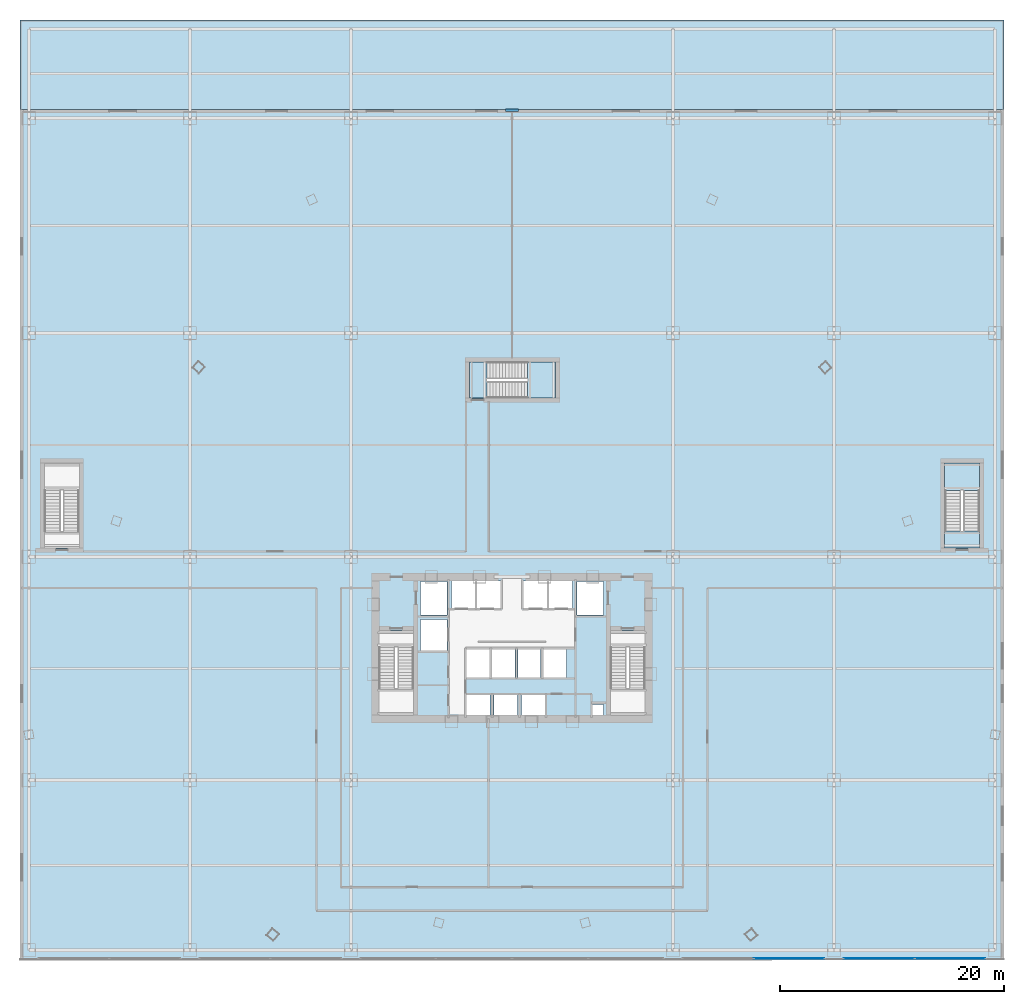
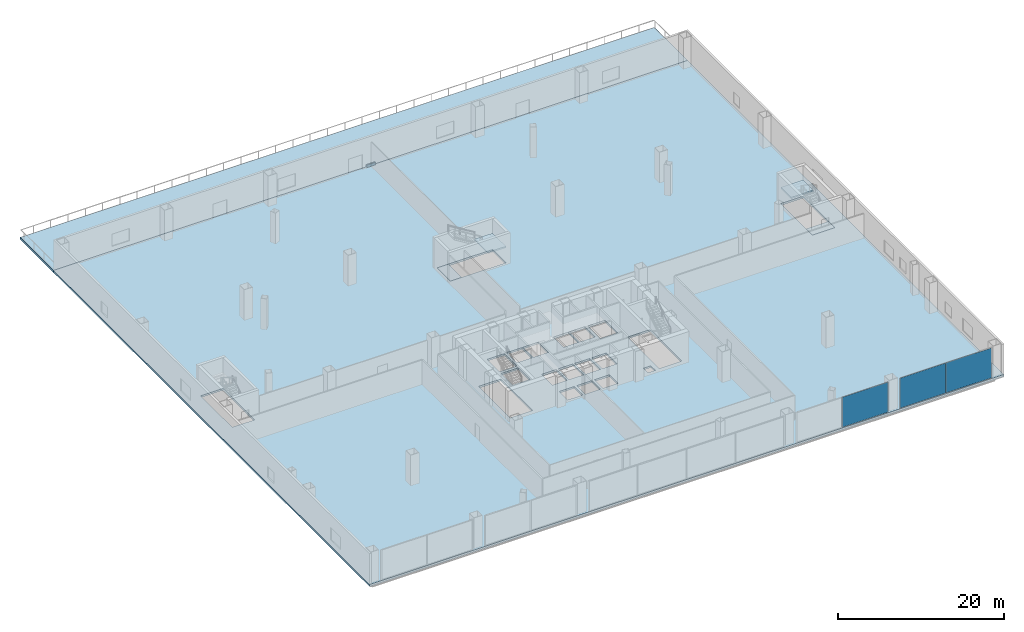
# One storey, part 18 of 27: 6 slabs, 4 plates, 4 elements without a shape of their own.
"""IFC4 building model written with IfcOpenShell, lengths in metres."""

import ifcopenshell
import ifcopenshell.guid

model = None  # the IFC model being written
_history = None  # IfcOwnerHistory: only IFC2X3 demands one
_inside = {}  # id of a spatial element -> (the spatial element, [elements in it])
_under = {}  # id of a project, library or spatial element -> (it, [spatial elements below it])
_declared = {}  # id of a project -> (the project, [libraries it declares])
_typed = {}  # id of a type object -> (the type object, [elements of that type])
_made_of = {}  # id of a material, layer set ... -> (it, [elements and type objects made of it])


def new_model(schema):
    """Start an empty IFC model of exactly this schema.

    Asked for "IFC4X3", IfcOpenShell would pick the latest addendum, in which some entities
    have other attributes; the version numbers below select the first issue.
    IFC2X3 requires an IfcOwnerHistory on every rooted entity: one is made here for all.
    """
    global model, _history
    if schema == "IFC4X3":
        model = ifcopenshell.file(schema_version=(4, 3, 0, 0))
    else:
        model = ifcopenshell.file(schema=schema)
    _inside.clear()
    _under.clear()
    _declared.clear()
    _typed.clear()
    _made_of.clear()
    _history = None
    if model.schema == "IFC2X3":
        org = make("IfcOrganization", Name="unknown")
        user = make(
            "IfcPersonAndOrganization",
            ThePerson=make("IfcPerson", FamilyName="unknown"),
            TheOrganization=org,
        )
        app = make(
            "IfcApplication",
            ApplicationDeveloper=org,
            Version="unknown",
            ApplicationFullName="unknown",
            ApplicationIdentifier="unknown",
        )
        _history = make(
            "IfcOwnerHistory",
            OwningUser=user,
            OwningApplication=app,
            ChangeAction="ADDED",
            CreationDate=0,
        )
    return model


def make(cls, **values):
    """One entity of the class cls with the attributes given. An attribute that is None is left unset."""
    return model.create_entity(
        cls, **{name: value for name, value in values.items() if value is not None}
    )


def rooted(cls, **values):
    """An entity with a GlobalId (a new one), such as an element, a storey or a relation."""
    return make(cls, GlobalId=ifcopenshell.guid.new(), OwnerHistory=_history, **values)


def si_unit(unit_type, name, prefix=None):
    """IfcSIUnit, for example si_unit("LENGTHUNIT", "METRE", prefix="MILLI")."""
    return make("IfcSIUnit", UnitType=unit_type, Prefix=prefix, Name=name)


def assignment(units):
    """IfcUnitAssignment: the units of a project."""
    return None if units is None else make("IfcUnitAssignment", Units=units)


def point(xyz):
    """IfcCartesianPoint."""
    return None if xyz is None else make("IfcCartesianPoint", Coordinates=xyz)


def direction(xyz):
    """IfcDirection."""
    return None if xyz is None else make("IfcDirection", DirectionRatios=xyz)


def frame(location, z_axis=None, x_axis=None):
    """IfcAxis2Placement3D, a coordinate frame: its origin and axes. An axis left out is left unset."""
    return make(
        "IfcAxis2Placement3D",
        Location=point(location),
        Axis=direction(z_axis),
        RefDirection=direction(x_axis),
    )


def frame_2d(location, x_axis=None):
    """IfcAxis2Placement2D, a coordinate frame in the plane: its origin and x axis."""
    return make(
        "IfcAxis2Placement2D", Location=point(location), RefDirection=direction(x_axis)
    )


def origin():
    """The frame at (0, 0, 0) with its axes left unset."""
    return frame((0.0, 0.0, 0.0))


def origin_2d():
    """The frame at (0, 0) in the plane with its x axis left unset."""
    return frame_2d((0.0, 0.0))


def place(relative_to, where):
    """IfcLocalPlacement: puts the frame where relative to a parent placement (None: the world)."""
    return make(
        "IfcLocalPlacement", PlacementRelTo=relative_to, RelativePlacement=where
    )


def context(
    kind, dimensions, precision=None, world=None, true_north=None, identifier=None
):
    """IfcGeometricRepresentationContext, for example the 3D "Model" context."""
    return make(
        "IfcGeometricRepresentationContext",
        ContextIdentifier=identifier,
        ContextType=kind,
        CoordinateSpaceDimension=dimensions,
        Precision=precision,
        WorldCoordinateSystem=world,
        TrueNorth=true_north,
    )


def subcontext(parent, identifier, kind, view, scale=None):
    """IfcGeometricRepresentationSubContext, for example "Body" below "Model"."""
    return make(
        "IfcGeometricRepresentationSubContext",
        ContextIdentifier=identifier,
        ContextType=kind,
        ParentContext=parent,
        TargetScale=scale,
        TargetView=view,
    )


def project(units=None, contexts=None):
    """IfcProject with its units and contexts."""
    return rooted(
        "IfcProject",
        Name="project",
        RepresentationContexts=contexts,
        UnitsInContext=assignment(units),
    )


def spatial(cls, under=None, at=None, **own):
    """A site, building, storey or space (cls), placed at a placement, below another one or the project."""
    s = rooted(cls, ObjectPlacement=at, **own)
    if under is not None:
        _under.setdefault(under.id(), (under, []))[1].append(s)
    return s


def polyline(points):
    """IfcPolyline through the points."""
    return make("IfcPolyline", Points=[point(p) for p in points])


def profile(cls, at=None, kind="AREA", **sizes):
    """A parametric profile (cls). Its sizes go by their IFC names, for example OverallWidth=200.0."""
    return make(cls, ProfileType=kind, Position=at, **sizes)


def rectangle(**sizes):
    """IfcRectangleProfileDef."""
    return profile("IfcRectangleProfileDef", **sizes)


def outline(outer, holes=None, kind="AREA"):
    """IfcArbitraryClosedProfileDef: a profile drawn as a closed curve; with holes, ...WithVoids."""
    if holes is None:
        return make("IfcArbitraryClosedProfileDef", ProfileType=kind, OuterCurve=outer)
    return make(
        "IfcArbitraryProfileDefWithVoids",
        ProfileType=kind,
        OuterCurve=outer,
        InnerCurves=holes,
    )


def extrude(swept, where, along, depth):
    """IfcExtrudedAreaSolid: the profile swept, set in the frame where, extruded along a direction by depth."""
    return make(
        "IfcExtrudedAreaSolid",
        SweptArea=swept,
        Position=where,
        ExtrudedDirection=direction(along),
        Depth=depth,
    )


def shape(context_of_items, identifier, shape_type, items):
    """IfcShapeRepresentation: the items that make up one representation, for example the "Body"."""
    return make(
        "IfcShapeRepresentation",
        ContextOfItems=context_of_items,
        RepresentationIdentifier=identifier,
        RepresentationType=shape_type,
        Items=items,
    )


def source(mapping_origin, context_of_items, identifier, shape_type, items):
    """IfcRepresentationMap: a shape defined once, which mapped items show again and again."""
    return make(
        "IfcRepresentationMap",
        MappingOrigin=mapping_origin,
        MappedRepresentation=shape(context_of_items, identifier, shape_type, items),
    )


def transform(
    local_origin,
    x_axis=None,
    y_axis=None,
    z_axis=None,
    scale=None,
    scale2=None,
    scale3=None,
    uniform=True,
):
    """IfcCartesianTransformationOperator3D, or its non-uniform kind. x_axis, y_axis, z_axis: its Axis1, 2, 3."""
    if uniform:
        return make(
            "IfcCartesianTransformationOperator3D",
            Axis1=direction(x_axis),
            Axis2=direction(y_axis),
            LocalOrigin=point(local_origin),
            Scale=scale,
            Axis3=direction(z_axis),
        )
    return make(
        "IfcCartesianTransformationOperator3DnonUniform",
        Axis1=direction(x_axis),
        Axis2=direction(y_axis),
        LocalOrigin=point(local_origin),
        Scale=scale,
        Axis3=direction(z_axis),
        Scale2=scale2,
        Scale3=scale3,
    )


def mapped(mapping_source, mapping_target):
    """IfcMappedItem: shows the shape of a source again, moved by a transform."""
    return make(
        "IfcMappedItem", MappingSource=mapping_source, MappingTarget=mapping_target
    )


def material(Name=None, Category=None):
    """IfcMaterial."""
    return make("IfcMaterial", Name=Name, Category=Category)


def layer(
    of_material, thickness, ventilated=None, Name=None, Category=None, Priority=None
):
    """IfcMaterialLayer: one layer of a wall or slab, of a material (None: an air gap)."""
    return make(
        "IfcMaterialLayer",
        Material=of_material,
        LayerThickness=thickness,
        IsVentilated=ventilated,
        Name=Name,
        Category=Category,
        Priority=Priority,
    )


def layer_set(layers, Name=None):
    """IfcMaterialLayerSet."""
    return make("IfcMaterialLayerSet", MaterialLayers=layers, LayerSetName=Name)


def made_of(thing, what):
    """Note that an element or type object is made of a material, layer set ...; save() writes the relation."""
    if what is not None:
        _made_of.setdefault(what.id(), (what, []))[1].append(thing)
    return thing


def type_object(cls, material=None, **own):
    """A type object (cls), such as IfcWallType, which elements share."""
    return made_of(rooted(cls, **own), material)


def element(
    cls,
    number,
    at=None,
    inside=None,
    cuts=None,
    type_object=None,
    material=None,
    context=None,
    identifier="Body",
    shape_type=None,
    held_by="IfcProductDefinitionShape",
    body=None,
    shapes=None,
    **own,
):
    """One element of the class cls, such as IfcWall. Its Tag is "e" and its number.

    at: its placement. inside: the storey or other place that contains it. cuts: it is an
    opening in that element (IfcRelVoidsElement). A single representation is given by context,
    identifier, shape_type and body (its items); several are given by shapes. held_by: the class
    of the entity that holds the representations. save() writes the other relations.
    """
    e = rooted(cls, Tag="e%d" % number, ObjectPlacement=at, **own)
    if body is not None:
        shapes = [shape(context, identifier, shape_type, body)]
    if shapes is not None:
        e.Representation = make(held_by, Representations=shapes)
    if inside is not None:
        _inside.setdefault(inside.id(), (inside, []))[1].append(e)
    if cuts is not None:
        rooted(
            "IfcRelVoidsElement", RelatingBuildingElement=cuts, RelatedOpeningElement=e
        )
    if type_object is not None:
        _typed.setdefault(type_object.id(), (type_object, []))[1].append(e)
    return made_of(e, material)


def aggregate(whole, parts):
    """IfcRelAggregates: a whole, such as a stair, and the parts it consists of."""
    return rooted("IfcRelAggregates", RelatingObject=whole, RelatedObjects=parts)


def save(model, path):
    """Write the relations noted so far, then the file.

    IfcRelAggregates (storeys below a building ...), IfcRelContainedInSpatialStructure (elements
    in a storey), IfcRelDefinesByType, IfcRelAssociatesMaterial and IfcRelDeclares: one each for
    every whole, place, type object, material and project.
    """
    for whole, parts in _under.values():
        aggregate(whole, parts)
    for where, things in _inside.values():
        rooted(
            "IfcRelContainedInSpatialStructure",
            RelatedElements=things,
            RelatingStructure=where,
        )
    for kind, things in _typed.values():
        rooted("IfcRelDefinesByType", RelatedObjects=things, RelatingType=kind)
    for what, things in _made_of.values():
        rooted("IfcRelAssociatesMaterial", RelatedObjects=things, RelatingMaterial=what)
    for by, libraries in _declared.values():
        rooted("IfcRelDeclares", RelatingContext=by, RelatedDefinitions=libraries)
    model.write(path)


model = new_model("IFC4")

# Units and contexts
model_context = context("Model", 3, precision=1e-05, world=origin(), true_north=direction((0.0, 1.0)))
body_context = subcontext(model_context, "Body", "Model", "MODEL_VIEW")
ifc_project = project(units=[si_unit("LENGTHUNIT", "METRE"), si_unit("AREAUNIT", "SQUARE_METRE"), si_unit("VOLUMEUNIT", "CUBIC_METRE"), si_unit("PLANEANGLEUNIT", "RADIAN"), si_unit("MASSUNIT", "GRAM", prefix="KILO"), si_unit("THERMODYNAMICTEMPERATUREUNIT", "KELVIN"), si_unit("POWERUNIT", "WATT")], contexts=[model_context])

# Site, building, storey
site_placement = place(None, origin())
site = spatial("IfcSite", under=ifc_project, at=site_placement, CompositionType="ELEMENT")
building_placement = place(site_placement, origin())
building = spatial("IfcBuilding", under=site, at=building_placement, Name="Yunzhuo Pagoda Commons", CompositionType="ELEMENT")
storey_placement = place(building_placement, frame((0.0, 0.0, 9.60009765625)))
storey = spatial("IfcBuildingStorey", under=building, at=storey_placement, Name="L03", CompositionType="ELEMENT", Elevation=9.60009765625)

# Stair, slabs
ifc_material_1 = material(Name="Concrete C40", Category="concrete")
stair_type_1 = type_object("IfcStairType", Name="ST-P4 Podium Exit Stair PS4", PredefinedType="HALF_TURN_STAIR", material=ifc_material_1)
stair_1_placement = place(storey_placement, origin())
stair_1 = element("IfcStair", 1, at=stair_1_placement, inside=storey, type_object=stair_type_1, Name="L03 Podium exit stair PS4", PredefinedType="HALF_TURN_STAIR")
ifc_layer_1 = layer(ifc_material_1, 0.2080078125)
ifc_layer_set_1 = layer_set([ifc_layer_1], Name="Concrete C40")
slab_type_1 = type_object("IfcSlabType", Name="SL-LND4 Podium Landing Slab 208", PredefinedType="LANDING", material=ifc_layer_set_1)
slab_1_placement = place(storey_placement, frame((0.0, 0.0, 2.199951171875)))
slab_1 = element("IfcSlab", 2, at=slab_1_placement, type_object=slab_type_1, Name="PS4 landing 1", PredefinedType="LANDING", context=body_context, shape_type="SweptSolid", body=[
    extrude(outline(polyline([(89.800048828125, 47.93994140625), (89.800048828125, 50.39990234375), (86.699951171875, 50.39990234375), (86.699951171875, 47.93994140625), (89.800048828125, 47.93994140625)])), origin(), (0.0, 0.0, 1.0), 0.199951171875),
])
slab_2_placement = place(storey_placement, frame((0.0, 0.0, -0.2001953125)))
slab_2 = element("IfcSlab", 3, at=slab_2_placement, type_object=slab_type_1, Name="PS4 floor landing L03", PredefinedType="LANDING", context=body_context, shape_type="SweptSolid", body=[
    extrude(outline(polyline([(89.800048828125, 42.800048828125), (89.800048828125, 44.300048828125), (86.699951171875, 44.300048828125), (86.699951171875, 42.800048828125), (89.800048828125, 42.800048828125)])), origin(), (0.0, 0.0, 1.0), 0.2001953125),
])
aggregate(stair_1, [slab_1, slab_2])

stair_type_2 = type_object("IfcStairType", Name="ST-C3 North Tower Smokeproof Stair ST3", PredefinedType="HALF_TURN_STAIR", material=ifc_material_1)
stair_2_placement = place(storey_placement, origin())
stair_2 = element("IfcStair", 4, at=stair_2_placement, inside=storey, type_object=stair_type_2, Name="L03 North tower smokeproof stair ST3", PredefinedType="HALF_TURN_STAIR")
ifc_layer_2 = layer(ifc_material_1, 0.2041015625)
ifc_layer_set_2 = layer_set([ifc_layer_2], Name="Concrete C40")
slab_type_2 = type_object("IfcSlabType", Name="SL-LND5 North Landing Slab 204", PredefinedType="LANDING", material=ifc_layer_set_2)
slab_3_placement = place(storey_placement, frame((0.0, 0.0, 2.199951171875)))
slab_3 = element("IfcSlab", 5, at=slab_3_placement, type_object=slab_type_2, Name="ST3 landing 1", PredefinedType="LANDING", context=body_context, shape_type="SweptSolid", body=[
    extrude(outline(polyline([(49.389892578125, 56.199951171875), (51.89990234375, 56.199951171875), (51.89990234375, 59.39990234375), (49.389892578125, 59.39990234375), (49.389892578125, 56.199951171875)])), origin(), (0.0, 0.0, 1.0), 0.199951171875),
])
slab_4_placement = place(storey_placement, frame((0.0, 0.0, -0.2001953125)))
slab_4 = element("IfcSlab", 6, at=slab_4_placement, type_object=slab_type_2, Name="ST3 floor landing L03", PredefinedType="LANDING", context=body_context, shape_type="SweptSolid", body=[
    extrude(outline(polyline([(44.199951171875, 56.199951171875), (45.75, 56.199951171875), (45.75, 59.39990234375), (44.199951171875, 59.39990234375), (44.199951171875, 56.199951171875)])), origin(), (0.0, 0.0, 1.0), 0.2001953125),
])
aggregate(stair_2, [slab_3, slab_4])

# Slabs
ifc_layer_3 = layer(ifc_material_1, 0.280029296875)
ifc_layer_set_3 = layer_set([ifc_layer_3], Name="Concrete C40")
slab_type_3 = type_object("IfcSlabType", Name="SL-POD Podium & Refuge Floor Slab 280", PredefinedType="FLOOR", material=ifc_layer_set_3)
slab_5_placement = place(storey_placement, frame((0.0, 0.0, -0.280029296875)))
element("IfcSlab", 7, at=slab_5_placement, inside=storey, type_object=slab_type_3, Name="L03 structural floor slab", PredefinedType="FLOOR", context=body_context, shape_type="SweptSolid", body=[
    extrude(outline(polyline([(4.0, 82.0), (92.0, 82.0), (92.0, 6.0), (4.0, 6.0), (4.0, 82.0)]), holes=[polyline([(46.050048828125, 27.60009765625), (46.050048828125, 29.64990234375), (43.949951171875, 29.64990234375), (43.949951171875, 27.60009765625), (46.050048828125, 27.60009765625)]), polyline([(48.5, 27.60009765625), (48.5, 29.64990234375), (46.39990234375, 29.64990234375), (46.39990234375, 27.60009765625), (48.5, 27.60009765625)]), polyline([(36.10009765625, 27.800048828125), (39.199951171875, 27.800048828125), (39.199951171875, 35.39990234375), (36.10009765625, 35.39990234375), (36.10009765625, 27.800048828125)]), polyline([(43.929931640625, 31.199951171875), (45.969970703125, 31.199951171875), (45.969970703125, 33.800048828125), (43.929931640625, 33.800048828125), (43.929931640625, 31.199951171875)]), polyline([(46.22998046875, 31.199951171875), (48.27001953125, 31.199951171875), (48.27001953125, 33.800048828125), (46.22998046875, 33.800048828125), (46.22998046875, 31.199951171875)]), polyline([(42.199951171875, 33.60009765625), (42.199951171875, 36.39990234375), (39.800048828125, 36.39990234375), (39.800048828125, 33.60009765625), (42.199951171875, 33.60009765625)]), polyline([(42.199951171875, 36.800048828125), (42.199951171875, 39.800048828125), (39.800048828125, 39.800048828125), (39.800048828125, 36.800048828125), (42.199951171875, 36.800048828125)]), polyline([(44.699951171875, 37.39990234375), (44.699951171875, 39.85009765625), (42.60009765625, 39.85009765625), (42.60009765625, 37.39990234375), (44.699951171875, 37.39990234375)]), polyline([(44.85009765625, 37.39990234375), (46.949951171875, 37.39990234375), (46.949951171875, 39.85009765625), (44.85009765625, 39.85009765625), (44.85009765625, 37.39990234375)]), polyline([(9.300048828125, 42.800048828125), (9.300048828125, 50.39990234375), (6.199951171875, 50.39990234375), (6.199951171875, 42.800048828125), (9.300048828125, 42.800048828125)]), polyline([(56.179931640625, 27.699951171875), (56.179931640625, 28.800048828125), (55.179931640625, 28.800048828125), (55.179931640625, 27.699951171875), (56.179931640625, 27.699951171875)]), polyline([(50.949951171875, 27.60009765625), (50.949951171875, 29.64990234375), (48.85009765625, 29.64990234375), (48.85009765625, 27.60009765625), (50.949951171875, 27.60009765625)]), polyline([(56.800048828125, 27.800048828125), (59.89990234375, 27.800048828125), (59.89990234375, 35.39990234375), (56.800048828125, 35.39990234375), (56.800048828125, 27.800048828125)]), polyline([(48.530029296875, 31.199951171875), (50.570068359375, 31.199951171875), (50.570068359375, 33.800048828125), (48.530029296875, 33.800048828125), (48.530029296875, 31.199951171875)]), polyline([(50.830078125, 31.199951171875), (52.8701171875, 31.199951171875), (52.8701171875, 33.800048828125), (50.830078125, 33.800048828125), (50.830078125, 31.199951171875)]), polyline([(56.199951171875, 36.800048828125), (56.199951171875, 39.800048828125), (53.800048828125, 39.800048828125), (53.800048828125, 36.800048828125), (56.199951171875, 36.800048828125)]), polyline([(51.14990234375, 37.39990234375), (51.14990234375, 39.85009765625), (49.050048828125, 39.85009765625), (49.050048828125, 37.39990234375), (51.14990234375, 37.39990234375)]), polyline([(53.39990234375, 37.39990234375), (53.39990234375, 39.85009765625), (51.300048828125, 39.85009765625), (51.300048828125, 37.39990234375), (53.39990234375, 37.39990234375)]), polyline([(89.800048828125, 42.800048828125), (89.800048828125, 50.39990234375), (86.699951171875, 50.39990234375), (86.699951171875, 42.800048828125), (89.800048828125, 42.800048828125)]), polyline([(44.199951171875, 56.199951171875), (51.89990234375, 56.199951171875), (51.89990234375, 59.39990234375), (44.199951171875, 59.39990234375), (44.199951171875, 56.199951171875)])]), origin(), (0.0, 0.0, 1.0), 0.280029296875),
])
ifc_layer_4 = layer(ifc_material_1, 0.280029296875)
ifc_layer_set_4 = layer_set([ifc_layer_4], Name="Concrete C40")
slab_type_4 = type_object("IfcSlabType", Name="SL-TER Outdoor Terrace Deck Slab 280", PredefinedType="FLOOR", material=ifc_layer_set_4)
slab_6_placement = place(storey_placement, frame((0.0, 0.0, -0.280029296875)))
element("IfcSlab", 8, at=slab_6_placement, inside=storey, type_object=slab_type_4, Name="L03 waterfront river terrace deck", PredefinedType="FLOOR", context=body_context, shape_type="SweptSolid", body=[
    extrude(outline(polyline([(4.0, 82.0), (92.0, 82.0), (92.0, 90.0), (4.0, 90.0), (4.0, 82.0)])), origin(), (0.0, 0.0, 1.0), 0.280029296875),
])

# Curtain wall, plate
ifc_material_2 = material(Name="Anodized aluminium 6063-T6", Category="aluminium")
ifc_layer_5 = layer(ifc_material_2, 0.179931640625)
ifc_layer_set_5 = layer_set([ifc_layer_5], Name="Anodized aluminium 6063-T6")
curtain_wall_type = type_object("IfcCurtainWallType", Name="CW-POD Waterfront Podium Curtain Wall", PredefinedType="NOTDEFINED", material=ifc_layer_set_5)
curtain_wall_1_placement = place(storey_placement, origin())
curtain_wall_1 = element("IfcCurtainWall", 9, at=curtain_wall_1_placement, inside=storey, type_object=curtain_wall_type, Name="L03 curtain wall CW-L03-S4", PredefinedType="NOTDEFINED")
ifc_material_3 = material(Name="Tempered low-e double glazing", Category="glass")
ifc_layer_6 = layer(ifc_material_3, 0.031982421875)
ifc_layer_set_6 = layer_set([ifc_layer_6], Name="Tempered low-e double glazing")
plate_type_1 = type_object("IfcPlateType", Name="CW-POD-P Low-E Double Glazing 32", PredefinedType="CURTAIN_PANEL", material=ifc_layer_set_6)
shared_shape_1 = source(origin(), body_context, "Body", "SweptSolid", [
    extrude(rectangle(XDim=6.302490234375, YDim=0.028076171875, at=origin_2d()), origin(), (0.0, 0.0, 1.0), 4.39990234375),
])
plate_1_placement = place(storey_placement, frame((72.78369140625, 6.080078125, 0.06005859375), z_axis=(0.0, 0.0, 1.0), x_axis=(1.0, 0.0, 0.0)))
plate_1 = element("IfcPlate", 10, at=plate_1_placement, type_object=plate_type_1, Name="CW panel 2.1", PredefinedType="CURTAIN_PANEL", context=body_context, shape_type="MappedRepresentation", body=[
    mapped(shared_shape_1, transform((0.0, 0.0, 0.0), scale=1.0)),
])
aggregate(curtain_wall_1, [plate_1])

# Curtain wall, plates
curtain_wall_2_placement = place(storey_placement, origin())
curtain_wall_2 = element("IfcCurtainWall", 11, at=curtain_wall_2_placement, inside=storey, type_object=curtain_wall_type, Name="L03 curtain wall CW-L03-S5", PredefinedType="NOTDEFINED")
plate_2_placement = place(storey_placement, frame((80.816162109375, 6.080078125, 0.06005859375), z_axis=(0.0, 0.0, 1.0), x_axis=(1.0, 0.0, 0.0)))
plate_2 = element("IfcPlate", 12, at=plate_2_placement, type_object=plate_type_1, Name="CW panel 1.1", PredefinedType="CURTAIN_PANEL", context=body_context, shape_type="MappedRepresentation", body=[
    mapped(shared_shape_1, transform((0.0, 0.0, 0.0), scale=1.0)),
])
plate_3_placement = place(storey_placement, frame((87.183837890625, 6.080078125, 0.06005859375), z_axis=(0.0, 0.0, 1.0), x_axis=(1.0, 0.0, 0.0)))
plate_3 = element("IfcPlate", 13, at=plate_3_placement, type_object=plate_type_1, Name="CW panel 2.1", PredefinedType="CURTAIN_PANEL", context=body_context, shape_type="MappedRepresentation", body=[
    mapped(shared_shape_1, transform((0.0, 0.0, 0.0), scale=1.0)),
])
aggregate(curtain_wall_2, [plate_2, plate_3])

# Plate
ifc_layer_7 = layer(ifc_material_2, 0.011962890625)
ifc_layer_set_7 = layer_set([ifc_layer_7], Name="Anodized aluminium 6063-T6")
plate_type_2 = type_object("IfcPlateType", Name="PL-CLOS1 Spandrel Closure Sheet", PredefinedType="SHEET", material=ifc_layer_set_7)
shared_shape_2 = source(origin(), body_context, "Body", "SweptSolid", [
    extrude(rectangle(XDim=1.199951171875, YDim=0.199951171875, at=origin_2d()), origin(), (0.0, 0.0, 1.0), 0.449951171875),
])
plate_4_placement = place(storey_placement, frame((48.0, 81.919921875, -0.125), z_axis=(0.0, 0.0, 1.0), x_axis=(1.0, 0.0, 0.0)))
element("IfcPlate", 14, at=plate_4_placement, inside=storey, type_object=plate_type_2, Name="L03 spandrel closure sheet", PredefinedType="SHEET", context=body_context, shape_type="MappedRepresentation", body=[
    mapped(shared_shape_2, transform((0.0, 0.0, 0.0), scale=1.0)),
])

save(model, "model.ifc")
